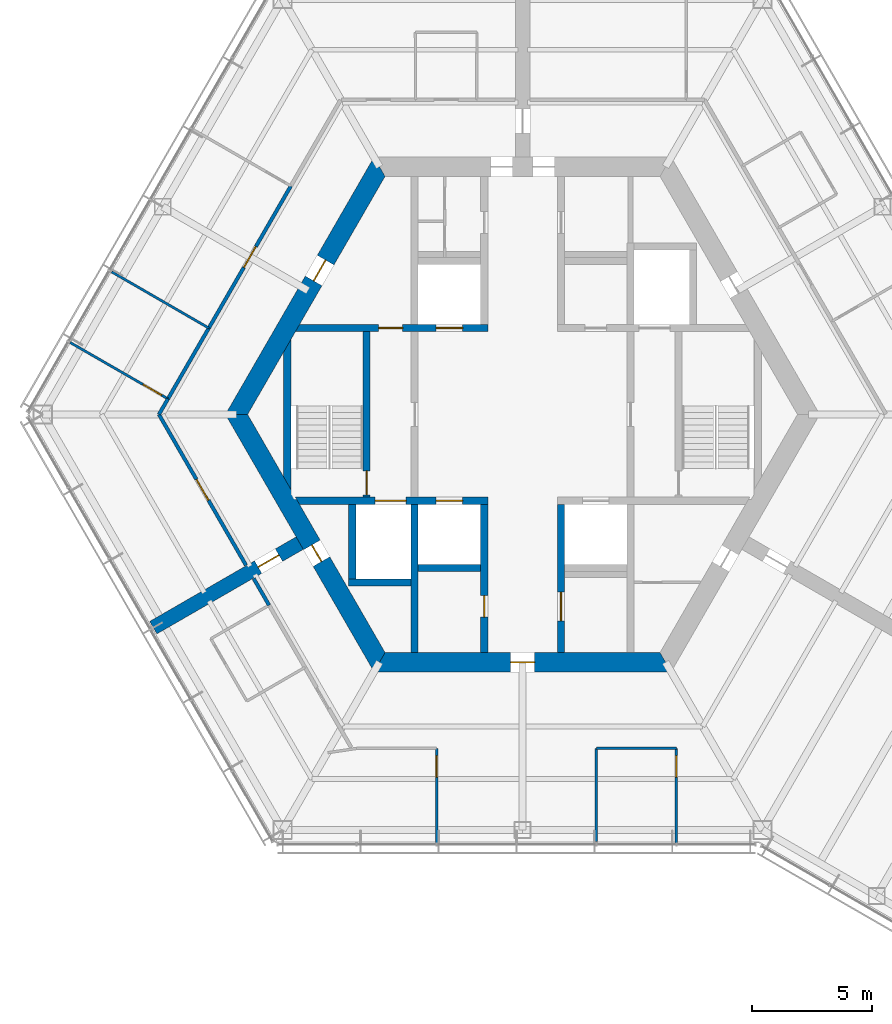
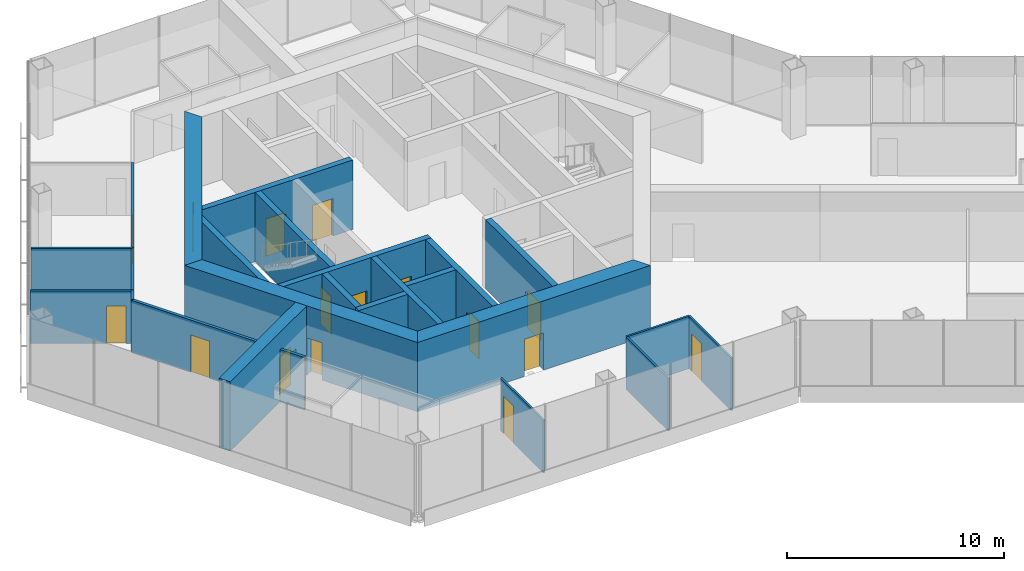
# One storey, part 10 of 16: 25 walls, 16 doors, 16 openings.
"""IFC4 building model written with IfcOpenShell, lengths in metres."""

from ifc_helpers import new_model, si_unit, direction, frame, frame_2d, origin, place, context, subcontext, project, spatial, polyline, rectangle, outline, extrude, material, layer, layer_set, type_object, element, fill, save


model = new_model("IFC4")

# Units and contexts
model_context = context("Model", 3, precision=1e-05, world=origin(), true_north=direction((0.0, 1.0)))
body_context = subcontext(model_context, "Body", "Model", "MODEL_VIEW")
ifc_project = project(units=[si_unit("LENGTHUNIT", "METRE"), si_unit("AREAUNIT", "SQUARE_METRE"), si_unit("VOLUMEUNIT", "CUBIC_METRE"), si_unit("PLANEANGLEUNIT", "RADIAN"), si_unit("MASSUNIT", "GRAM", prefix="KILO")], contexts=[model_context])

# Site, building, storey
site_placement = place(None, origin())
site = spatial("IfcSite", under=ifc_project, at=site_placement, CompositionType="ELEMENT")
building_placement = place(site_placement, origin())
building = spatial("IfcBuilding", under=site, at=building_placement, Name="Kasaneha Research Tower", CompositionType="ELEMENT")
storey_placement = place(building_placement, frame((0.0, 0.0, 263.5)))
storey = spatial("IfcBuildingStorey", under=building, at=storey_placement, Name="L66", CompositionType="ELEMENT", Elevation=263.5)

# Wall, openings, doors
ifc_material_1 = material(Name="Concrete Fc60", Category="concrete")
ifc_layer_1 = layer(ifc_material_1, 0.300048828125)
ifc_layer_set_1 = layer_set([ifc_layer_1], Name="Core internal wall 300 Fc60")
wall_type_1 = type_object("IfcWallType", Name="Core internal wall 300 Fc60", PredefinedType="SHEAR", material=ifc_layer_set_1)
wall_1_placement = place(storey_placement, frame((-9.3818359375, 3.60009765625, 0.0), z_axis=(0.0, 0.0, 1.0), x_axis=(1.0, 0.0, 0.0)))
wall_1 = element("IfcWall", 1, at=wall_1_placement, inside=storey, type_object=wall_type_1, Name="Core wall W1W L66", PredefinedType="SHEAR", context=body_context, shape_type="SweptSolid", body=[
    extrude(outline(polyline([(-0.086669921875, -0.14990234375), (3.3818359375, -0.14990234375), (4.3818359375, -0.14990234375), (5.781982421875, -0.14990234375), (6.882080078125, -0.14990234375), (7.931884765625, -0.14990234375), (7.931884765625, 0.14990234375), (6.882080078125, 0.14990234375), (5.781982421875, 0.14990234375), (4.3818359375, 0.14990234375), (3.3818359375, 0.14990234375), (0.086669921875, 0.14990234375), (-0.086669921875, -0.14990234375)])), origin(), (0.0, 0.0, 1.0), 3.89990234375),
])
opening_1_placement = place(wall_1_placement, frame((3.3818359375, 0.0, 0.0)))
opening_1 = element("IfcOpeningElement", 2, at=opening_1_placement, cuts=wall_1, Name="Opening L66-D12", PredefinedType="OPENING", context=body_context, shape_type="SweptSolid", body=[
    extrude(rectangle(XDim=1.0, YDim=2.10009765625, at=frame_2d((0.5, 1.050048828125))), frame((0.0, 0.16015625, 0.0), z_axis=(0.0, -1.0, 0.0), x_axis=(1.0, 0.0, 0.0)), (0.0, 0.0, 1.0), 0.320068359375),
])
opening_2_placement = place(wall_1_placement, frame((5.781982421875, 0.0, 0.0)))
opening_2 = element("IfcOpeningElement", 3, at=opening_2_placement, cuts=wall_1, Name="Opening LD-LH2-L66", PredefinedType="OPENING", context=body_context, shape_type="SweptSolid", body=[
    extrude(rectangle(XDim=1.10009765625, YDim=2.10009765625, at=frame_2d((0.550048828125, 1.050048828125))), frame((0.0, 0.16015625, 0.0), z_axis=(0.0, -1.0, 0.0), x_axis=(1.0, 0.0, 0.0)), (0.0, 0.0, 1.0), 0.320068359375),
])
ifc_material_2 = material(Name="Steel", Category="steel")
door_type_1 = type_object("IfcDoorType", Name="Lift landing door 1100x2100", OperationType="DOUBLE_DOOR_SLIDING", PredefinedType="DOOR", material=ifc_material_2)
door_1_placement = place(opening_2_placement, origin())
door_1 = element("IfcDoor", 4, at=door_1_placement, inside=storey, type_object=door_type_1, Name="Landing door LH2 LD-LH2-L66", OperationType="DOUBLE_DOOR_SLIDING", OverallHeight=2.10009765625, OverallWidth=1.10009765625, PredefinedType="DOOR", context=body_context, shape_type="SweptSolid", body=[
    extrude(rectangle(XDim=1.10009765625, YDim=2.10009765625, at=frame_2d((0.550048828125, 1.050048828125))), frame((0.0, 0.02490234375, 0.0), z_axis=(0.0, -1.0, 0.0), x_axis=(1.0, 0.0, 0.0)), (0.0, 0.0, 1.0), 0.050048828125),
])
fill(opening_2, door_1)
ifc_material_3 = material(Name="Steel", Category="steel")
door_type_2 = type_object("IfcDoorType", Name="Specified fire door FD60 1000x2100", OperationType="NOTDEFINED", PredefinedType="DOOR", material=ifc_material_3)
door_2_placement = place(opening_1_placement, origin())
door_2 = element("IfcDoor", 5, at=door_2_placement, inside=storey, type_object=door_type_2, Name="Vestibule to lobby door L66-D12", OperationType="SINGLE_SWING_LEFT", OverallHeight=2.10009765625, OverallWidth=1.0, PredefinedType="DOOR", context=body_context, shape_type="SweptSolid", body=[
    extrude(rectangle(XDim=1.0, YDim=2.10009765625, at=frame_2d((0.5, 1.050048828125))), frame((0.0, 0.02490234375, 0.0), z_axis=(0.0, -1.0, 0.0), x_axis=(1.0, 0.0, 0.0)), (0.0, 0.0, 1.0), 0.050048828125),
])
fill(opening_1, door_2)

wall_2_placement = place(storey_placement, frame((-9.3818359375, -3.60009765625, 0.0), z_axis=(0.0, 0.0, 1.0), x_axis=(1.0, 0.0, 0.0)))
wall_2 = element("IfcWall", 6, at=wall_2_placement, inside=storey, type_object=wall_type_1, Name="Core wall W2W L66", PredefinedType="SHEAR", context=body_context, shape_type="SweptSolid", body=[
    extrude(outline(polyline([(0.086669921875, -0.14990234375), (3.23193359375, -0.14990234375), (4.531982421875, -0.14990234375), (5.781982421875, -0.14990234375), (6.882080078125, -0.14990234375), (7.931884765625, -0.14990234375), (7.931884765625, 0.14990234375), (6.882080078125, 0.14990234375), (5.781982421875, 0.14990234375), (4.531982421875, 0.14990234375), (3.23193359375, 0.14990234375), (-0.086669921875, 0.14990234375), (0.086669921875, -0.14990234375)])), origin(), (0.0, 0.0, 1.0), 3.89990234375),
])
opening_3_placement = place(wall_2_placement, frame((5.781982421875, 0.0, 0.0)))
opening_3 = element("IfcOpeningElement", 7, at=opening_3_placement, cuts=wall_2, Name="Opening LD-LH1-L66", PredefinedType="OPENING", context=body_context, shape_type="SweptSolid", body=[
    extrude(rectangle(XDim=1.10009765625, YDim=2.10009765625, at=frame_2d((0.550048828125, 1.050048828125))), frame((0.0, 0.16015625, 0.0), z_axis=(0.0, -1.0, 0.0), x_axis=(1.0, 0.0, 0.0)), (0.0, 0.0, 1.0), 0.320068359375),
])
opening_4_placement = place(wall_2_placement, frame((3.23193359375, 0.0, 0.0)))
opening_4 = element("IfcOpeningElement", 8, at=opening_4_placement, cuts=wall_2, Name="Opening LD-FL2-L66", PredefinedType="OPENING", context=body_context, shape_type="SweptSolid", body=[
    extrude(rectangle(XDim=1.300048828125, YDim=2.10009765625, at=frame_2d((0.64990234375, 1.050048828125))), frame((0.0, 0.16015625, 0.0), z_axis=(0.0, -1.0, 0.0), x_axis=(1.0, 0.0, 0.0)), (0.0, 0.0, 1.0), 0.320068359375),
])
door_3_placement = place(opening_3_placement, origin())
door_3 = element("IfcDoor", 9, at=door_3_placement, inside=storey, type_object=door_type_1, Name="Landing door LH1 LD-LH1-L66", OperationType="DOUBLE_DOOR_SLIDING", OverallHeight=2.10009765625, OverallWidth=1.10009765625, PredefinedType="DOOR", context=body_context, shape_type="SweptSolid", body=[
    extrude(rectangle(XDim=1.10009765625, YDim=2.10009765625, at=frame_2d((0.550048828125, 1.050048828125))), frame((0.0, 0.02490234375, 0.0), z_axis=(0.0, -1.0, 0.0), x_axis=(1.0, 0.0, 0.0)), (0.0, 0.0, 1.0), 0.050048828125),
])
fill(opening_3, door_3)
ifc_material_4 = material(Name="Steel", Category="steel")
door_type_3 = type_object("IfcDoorType", Name="Lift landing door 1300x2100", OperationType="DOUBLE_DOOR_SLIDING", PredefinedType="DOOR", material=ifc_material_4)
door_4_placement = place(opening_4_placement, origin())
door_4 = element("IfcDoor", 10, at=door_4_placement, inside=storey, type_object=door_type_3, Name="Landing door FL2 LD-FL2-L66", OperationType="DOUBLE_DOOR_SLIDING", OverallHeight=2.10009765625, OverallWidth=1.300048828125, PredefinedType="DOOR", context=body_context, shape_type="SweptSolid", body=[
    extrude(rectangle(XDim=1.300048828125, YDim=2.10009765625, at=frame_2d((0.64990234375, 1.050048828125))), frame((0.0, 0.02490234375, 0.0), z_axis=(0.0, -1.0, 0.0), x_axis=(1.0, 0.0, 0.0)), (0.0, 0.0, 1.0), 0.050048828125),
])
fill(opening_4, door_4)

# Wall, opening, door
wall_3_placement = place(storey_placement, frame((-1.60009765625, -3.75, 0.0), z_axis=(0.0, 0.0, 1.0), x_axis=(0.0, -1.0, 0.0)))
wall_3 = element("IfcWall", 11, at=wall_3_placement, inside=storey, type_object=wall_type_1, Name="Core wall CSW L66", PredefinedType="SHEAR", context=body_context, shape_type="SweptSolid", body=[
    extrude(rectangle(XDim=6.175048828125, YDim=0.300048828125, at=frame_2d((3.08740234375, 0.0))), origin(), (0.0, 0.0, 1.0), 3.89990234375),
])
opening_5_placement = place(wall_3_placement, frame((3.800048828125, 0.0, 0.0)))
opening_5 = element("IfcOpeningElement", 12, at=opening_5_placement, cuts=wall_3, Name="Opening L66-D16", PredefinedType="OPENING", context=body_context, shape_type="SweptSolid", body=[
    extrude(rectangle(XDim=0.89990234375, YDim=2.10009765625, at=frame_2d((0.449951171875, 1.050048828125))), frame((0.0, 0.16015625, 0.0), z_axis=(0.0, -1.0, 0.0), x_axis=(1.0, 0.0, 0.0)), (0.0, 0.0, 1.0), 0.320068359375),
])
ifc_material_5 = material(Name="Steel", Category="steel")
door_type_4 = type_object("IfcDoorType", Name="Riser access door FD60 900x2100", OperationType="NOTDEFINED", PredefinedType="DOOR", material=ifc_material_5)
door_5_placement = place(opening_5_placement, origin())
door_5 = element("IfcDoor", 13, at=door_5_placement, inside=storey, type_object=door_type_4, Name="Electrical riser door L66-D16", OperationType="SINGLE_SWING_LEFT", OverallHeight=2.10009765625, OverallWidth=0.89990234375, PredefinedType="DOOR", context=body_context, shape_type="SweptSolid", body=[
    extrude(rectangle(XDim=0.89990234375, YDim=2.10009765625, at=frame_2d((0.449951171875, 1.050048828125))), frame((0.0, 0.02490234375, 0.0), z_axis=(0.0, -1.0, 0.0), x_axis=(1.0, 0.0, 0.0)), (0.0, 0.0, 1.0), 0.050048828125),
])
fill(opening_5, door_5)

wall_4_placement = place(storey_placement, frame((1.60009765625, -3.75, 0.0), z_axis=(0.0, 0.0, 1.0), x_axis=(0.0, -1.0, 0.0)))
wall_4 = element("IfcWall", 14, at=wall_4_placement, inside=storey, type_object=wall_type_1, Name="Core wall CSE L66", PredefinedType="SHEAR", context=body_context, shape_type="SweptSolid", body=[
    extrude(rectangle(XDim=6.175048828125, YDim=0.300048828125, at=frame_2d((3.08740234375, 0.0))), origin(), (0.0, 0.0, 1.0), 3.89990234375),
])
opening_6_placement = place(wall_4_placement, frame((3.64990234375, 0.0, 0.0)))
opening_6 = element("IfcOpeningElement", 15, at=opening_6_placement, cuts=wall_4, Name="Opening L66-D15", PredefinedType="OPENING", context=body_context, shape_type="SweptSolid", body=[
    extrude(rectangle(XDim=1.199951171875, YDim=2.10009765625, at=frame_2d((0.60009765625, 1.050048828125))), frame((0.0, 0.16015625, 0.0), z_axis=(0.0, -1.0, 0.0), x_axis=(1.0, 0.0, 0.0)), (0.0, 0.0, 1.0), 0.320068359375),
])
ifc_material_6 = material(Name="Steel", Category="steel")
door_type_5 = type_object("IfcDoorType", Name="Accessible toilet sliding door FD20 1200x2100", OperationType="SLIDING_TO_LEFT", PredefinedType="DOOR", material=ifc_material_6)
door_6_placement = place(opening_6_placement, origin())
door_6 = element("IfcDoor", 16, at=door_6_placement, inside=storey, type_object=door_type_5, Name="Accessible WC door L66-D15", OperationType="SLIDING_TO_LEFT", OverallHeight=2.10009765625, OverallWidth=1.199951171875, PredefinedType="DOOR", context=body_context, shape_type="SweptSolid", body=[
    extrude(rectangle(XDim=1.199951171875, YDim=2.10009765625, at=frame_2d((0.60009765625, 1.050048828125))), frame((0.0, 0.02490234375, 0.0), z_axis=(0.0, -1.0, 0.0), x_axis=(1.0, 0.0, 0.0)), (0.0, 0.0, 1.0), 0.050048828125),
])
fill(opening_6, door_6)

wall_5_placement = place(storey_placement, frame((-6.5, -3.449951171875, 0.0), z_axis=(0.0, 0.0, 1.0), x_axis=(0.0, 1.0, 0.0)))
wall_5 = element("IfcWall", 17, at=wall_5_placement, inside=storey, type_object=wall_type_1, Name="Core wall ANW L66", PredefinedType="SHEAR", context=body_context, shape_type="SweptSolid", body=[
    extrude(rectangle(XDim=6.89990234375, YDim=0.300048828125, at=frame_2d((3.449951171875, 0.0))), origin(), (0.0, 0.0, 1.0), 3.89990234375),
])
opening_7_placement = place(wall_5_placement, frame((0.10009765625, 0.0, 0.0)))
opening_7 = element("IfcOpeningElement", 18, at=opening_7_placement, cuts=wall_5, Name="Opening L66-D11", PredefinedType="OPENING", context=body_context, shape_type="SweptSolid", body=[
    extrude(rectangle(XDim=1.0, YDim=2.10009765625, at=frame_2d((0.5, 1.050048828125))), frame((0.0, 0.16015625, 0.0), z_axis=(0.0, -1.0, 0.0), x_axis=(1.0, 0.0, 0.0)), (0.0, 0.0, 1.0), 0.320068359375),
])
door_7_placement = place(opening_7_placement, origin())
door_7 = element("IfcDoor", 19, at=door_7_placement, inside=storey, type_object=door_type_2, Name="Stair 2 door L66-D11", OperationType="SINGLE_SWING_LEFT", OverallHeight=2.10009765625, OverallWidth=1.0, PredefinedType="DOOR", context=body_context, shape_type="SweptSolid", body=[
    extrude(rectangle(XDim=1.0, YDim=2.10009765625, at=frame_2d((0.5, 1.050048828125))), frame((0.0, 0.02490234375, 0.0), z_axis=(0.0, -1.0, 0.0), x_axis=(1.0, 0.0, 0.0)), (0.0, 0.0, 1.0), 0.050048828125),
])
fill(opening_7, door_7)

# Walls
wall_6_placement = place(storey_placement, frame((-4.5, -3.75, 0.0), z_axis=(0.0, 0.0, 1.0), x_axis=(0.0, -1.0, 0.0)))
element("IfcWall", 20, at=wall_6_placement, inside=storey, type_object=wall_type_1, Name="Core wall SSW L66", PredefinedType="SHEAR", context=body_context, shape_type="SweptSolid", body=[
    extrude(rectangle(XDim=6.175048828125, YDim=0.300048828125, at=frame_2d((3.08740234375, 0.0))), origin(), (0.0, 0.0, 1.0), 3.89990234375),
])
for number, where, z_axis, x_axis, name in (
    (21, (-4.35009765625, -6.39990234375, 0.0), (0.0, 0.0, 1.0), (1.0, 0.0, 0.0), "Core wall S1S L66"),
    (22, (-7.25, -7.0, 0.0), (0.0, 0.0, 1.0), (1.0, 0.0, 0.0), "Core wall F2S L66"),
):
    element("IfcWall", number, at=place(storey_placement, frame(where, z_axis=z_axis, x_axis=x_axis)), inside=storey, type_object=wall_type_1, Name=name, PredefinedType="SHEAR", context=body_context, shape_type="SweptSolid", body=[
        extrude(rectangle(XDim=2.60009765625, YDim=0.300048828125, at=frame_2d((1.300048828125, 0.0))), origin(), (0.0, 0.0, 1.0), 3.89990234375),
    ])
wall_7_placement = place(storey_placement, frame((-7.10009765625, -3.75, 0.0), z_axis=(0.0, 0.0, 1.0), x_axis=(0.0, -1.0, 0.0)))
element("IfcWall", 23, at=wall_7_placement, inside=storey, type_object=wall_type_1, Name="Core wall F2W L66", PredefinedType="SHEAR", context=body_context, shape_type="SweptSolid", body=[
    extrude(rectangle(XDim=3.10009765625, YDim=0.300048828125, at=frame_2d((1.550048828125, 0.0))), origin(), (0.0, 0.0, 1.0), 3.89990234375),
])
wall_8_placement = place(storey_placement, frame((-9.807861328125, -2.8623046875, 0.0), z_axis=(0.0, 0.0, 1.0), x_axis=(0.0, 1.0, 0.0)))
element("IfcWall", 24, at=wall_8_placement, inside=storey, type_object=wall_type_1, Name="Core wall STW L66", PredefinedType="SHEAR", context=body_context, shape_type="SweptSolid", body=[
    extrude(outline(polyline([(-0.259765625, -0.14990234375), (5.984375, -0.14990234375), (5.46484375, 0.14990234375), (0.259765625, 0.14990234375), (-0.259765625, -0.14990234375)])), origin(), (0.0, 0.0, 1.0), 3.89990234375),
])

# Wall, opening, door
ifc_material_7 = material(Name="Concrete Fc60", Category="concrete")
ifc_layer_2 = layer(ifc_material_7, 0.800048828125)
ifc_layer_set_2 = layer_set([ifc_layer_2], Name="Core wall 800 Fc60")
wall_type_2 = type_object("IfcWallType", Name="Core wall 800 Fc60", PredefinedType="SHEAR", material=ifc_layer_set_2)
wall_9_placement = place(storey_placement, frame((-5.961181640625, 10.324951171875, 0.0), z_axis=(0.0, 0.0, 1.0), x_axis=(-0.500004296715, -0.866022923061, 0.0)))
wall_9 = element("IfcWall", 25, at=wall_9_placement, inside=storey, type_object=wall_type_2, Name="Core wall 150 L66", PredefinedType="SHEAR", context=body_context, shape_type="SweptSolid", body=[
    extrude(outline(polyline([(-0.23095703125, -0.39990234375), (4.494140625, -0.39990234375), (5.494140625, -0.39990234375), (12.1533203125, -0.39990234375), (11.69140625, 0.39990234375), (5.494140625, 0.39990234375), (4.494140625, 0.39990234375), (0.23095703125, 0.39990234375), (-0.23095703125, -0.39990234375)])), origin(), (0.0, 0.0, 1.0), 3.89990234375),
])
opening_8_placement = place(wall_9_placement, frame((4.494140625, 0.0, 0.0)))
opening_8 = element("IfcOpeningElement", 26, at=opening_8_placement, cuts=wall_9, Name="Opening L66-D07", PredefinedType="OPENING", context=body_context, shape_type="SweptSolid", body=[
    extrude(rectangle(XDim=1.0, YDim=2.10009765625, at=frame_2d((0.5, 1.050048828125))), frame((0.0, 0.41015625, 0.0), z_axis=(0.0, -1.0, 0.0), x_axis=(1.0, 0.0, 0.0)), (0.0, 0.0, 1.0), 0.820068359375),
])
ifc_material_8 = material(Name="Steel", Category="steel")
door_type_6 = type_object("IfcDoorType", Name="Fire door FD20 1000x2100", OperationType="NOTDEFINED", PredefinedType="DOOR", material=ifc_material_8)
door_8_placement = place(opening_8_placement, origin())
door_8 = element("IfcDoor", 27, at=door_8_placement, inside=storey, type_object=door_type_6, Name="Vestibule door L66-D07", OperationType="SINGLE_SWING_LEFT", OverallHeight=2.10009765625, OverallWidth=1.0, PredefinedType="DOOR", context=body_context, shape_type="SweptSolid", body=[
    extrude(rectangle(XDim=1.0, YDim=2.10009765625, at=frame_2d((0.5, 1.050048828125))), frame((0.0, 0.02490234375, 0.0), z_axis=(0.0, -1.0, 0.0), x_axis=(1.0, 0.0, 0.0)), (0.0, 0.0, 1.0), 0.050048828125),
])
fill(opening_8, door_8)

wall_10_placement = place(storey_placement, frame((-11.92236328125, 0.0, 0.0), z_axis=(0.0, 0.0, 1.0), x_axis=(0.500004296715, -0.866022923061, 0.0)))
wall_10 = element("IfcWall", 28, at=wall_10_placement, inside=storey, type_object=wall_type_2, Name="Core wall 210 L66", PredefinedType="SHEAR", context=body_context, shape_type="SweptSolid", body=[
    extrude(outline(polyline([(-0.23095703125, -0.39990234375), (6.28125, -0.39990234375), (7.081298828125, -0.39990234375), (12.1533203125, -0.39990234375), (11.69140625, 0.39990234375), (7.081298828125, 0.39990234375), (6.28125, 0.39990234375), (0.23095703125, 0.39990234375), (-0.23095703125, -0.39990234375)])), origin(), (0.0, 0.0, 1.0), 3.89990234375),
])
opening_9_placement = place(wall_10_placement, frame((6.28125, 0.0, 0.0)))
opening_9 = element("IfcOpeningElement", 29, at=opening_9_placement, cuts=wall_10, Name="Opening L66-D06", PredefinedType="OPENING", context=body_context, shape_type="SweptSolid", body=[
    extrude(rectangle(XDim=0.800048828125, YDim=2.10009765625, at=frame_2d((0.39990234375, 1.050048828125))), frame((0.0, 0.41015625, 0.0), z_axis=(0.0, -1.0, 0.0), x_axis=(1.0, 0.0, 0.0)), (0.0, 0.0, 1.0), 0.820068359375),
])
ifc_material_9 = material(Name="Steel", Category="steel")
door_type_7 = type_object("IfcDoorType", Name="Riser access door FD60 800x2100", OperationType="NOTDEFINED", PredefinedType="DOOR", material=ifc_material_9)
door_9_placement = place(opening_9_placement, origin())
door_9 = element("IfcDoor", 30, at=door_9_placement, inside=storey, type_object=door_type_7, Name="Duct riser door L66-D06", OperationType="SINGLE_SWING_RIGHT", OverallHeight=2.10009765625, OverallWidth=0.800048828125, PredefinedType="DOOR", context=body_context, shape_type="SweptSolid", body=[
    extrude(rectangle(XDim=0.800048828125, YDim=2.10009765625, at=frame_2d((0.39990234375, 1.050048828125))), frame((0.0, 0.02490234375, 0.0), z_axis=(0.0, -1.0, 0.0), x_axis=(1.0, 0.0, 0.0)), (0.0, 0.0, 1.0), 0.050048828125),
])
fill(opening_9, door_9)

wall_11_placement = place(storey_placement, frame((-5.961181640625, -10.324951171875, 0.0), z_axis=(0.0, 0.0, 1.0), x_axis=(1.0, 0.0, 0.0)))
wall_11 = element("IfcWall", 31, at=wall_11_placement, inside=storey, type_object=wall_type_2, Name="Core wall 270 L66", PredefinedType="SHEAR", context=body_context, shape_type="SweptSolid", body=[
    extrude(outline(polyline([(-0.23095703125, -0.39990234375), (5.461181640625, -0.39990234375), (6.461181640625, -0.39990234375), (12.1533203125, -0.39990234375), (11.69140625, 0.39990234375), (6.461181640625, 0.39990234375), (5.461181640625, 0.39990234375), (0.23095703125, 0.39990234375), (-0.23095703125, -0.39990234375)])), origin(), (0.0, 0.0, 1.0), 3.89990234375),
])
opening_10_placement = place(wall_11_placement, frame((5.461181640625, 0.0, 0.0)))
opening_10 = element("IfcOpeningElement", 32, at=opening_10_placement, cuts=wall_11, Name="Opening L66-D03", PredefinedType="OPENING", context=body_context, shape_type="SweptSolid", body=[
    extrude(rectangle(XDim=1.0, YDim=2.10009765625, at=frame_2d((0.5, 1.050048828125))), frame((0.0, 0.41015625, 0.0), z_axis=(0.0, -1.0, 0.0), x_axis=(1.0, 0.0, 0.0)), (0.0, 0.0, 1.0), 0.820068359375),
])
door_10_placement = place(opening_10_placement, origin())
door_10 = element("IfcDoor", 33, at=door_10_placement, inside=storey, type_object=door_type_6, Name="Core door south L66-D03", OperationType="SINGLE_SWING_LEFT", OverallHeight=2.10009765625, OverallWidth=1.0, PredefinedType="DOOR", context=body_context, shape_type="SweptSolid", body=[
    extrude(rectangle(XDim=1.0, YDim=2.10009765625, at=frame_2d((0.5, 1.050048828125))), frame((0.0, 0.02490234375, 0.0), z_axis=(0.0, -1.0, 0.0), x_axis=(1.0, 0.0, 0.0)), (0.0, 0.0, 1.0), 0.050048828125),
])
fill(opening_10, door_10)

ifc_material_10 = material(Name="Gypsum board on steel studs, one layer each side", Category="steel")
ifc_layer_3 = layer(ifc_material_10, 0.10009765625)
ifc_layer_set_3 = layer_set([ifc_layer_3], Name="Office partition 100")
wall_type_3 = type_object("IfcWallType", Name="Office partition 100", PredefinedType="PARTITIONING", material=ifc_layer_set_3)
wall_12_placement = place(storey_placement, frame((-14.77978515625, 0.650634765625, 0.0), z_axis=(0.0, 0.0, 1.0), x_axis=(-0.866504138439, 0.499169888984, 0.0)))
wall_12 = element("IfcWall", 34, at=wall_12_placement, inside=storey, type_object=wall_type_3, Name="Office partition FBN07 L66", PredefinedType="PARTITIONING", context=body_context, shape_type="SweptSolid", body=[
    extrude(rectangle(XDim=4.70556640625, YDim=0.10009765625, at=frame_2d((2.352783203125, 0.0))), origin(), (0.0, 0.0, 1.0), 2.949951171875),
])
opening_11_placement = place(wall_12_placement, frame((0.300048828125, 0.0, 0.0)))
opening_11 = element("IfcOpeningElement", 35, at=opening_11_placement, cuts=wall_12, Name="Opening L66-D33", PredefinedType="OPENING", context=body_context, shape_type="SweptSolid", body=[
    extrude(rectangle(XDim=0.89990234375, YDim=2.10009765625, at=frame_2d((0.449951171875, 1.050048828125))), frame((0.0, 0.06005859375, 0.0), z_axis=(0.0, -1.0, 0.0), x_axis=(1.0, 0.0, 0.0)), (0.0, 0.0, 1.0), 0.1201171875),
])
ifc_material_11 = material(Name="Timber veneer", Category="wood")
door_type_8 = type_object("IfcDoorType", Name="Office door 900x2100", OperationType="SINGLE_SWING_LEFT", PredefinedType="DOOR", material=ifc_material_11)
door_11_placement = place(opening_11_placement, origin())
door_11 = element("IfcDoor", 36, at=door_11_placement, inside=storey, type_object=door_type_8, Name="Executive office door L66-D33", OperationType="SINGLE_SWING_LEFT", OverallHeight=2.10009765625, OverallWidth=0.89990234375, PredefinedType="DOOR", context=body_context, shape_type="SweptSolid", body=[
    extrude(rectangle(XDim=0.89990234375, YDim=2.10009765625, at=frame_2d((0.449951171875, 1.050048828125))), frame((0.0, 0.02490234375, 0.0), z_axis=(0.0, -1.0, 0.0), x_axis=(1.0, 0.0, 0.0)), (0.0, 0.0, 1.0), 0.050048828125),
])
fill(opening_11, door_11)

# Wall
wall_13_placement = place(storey_placement, frame((-17.123291015625, 5.9423828125, 0.0), z_axis=(0.0, 0.0, 1.0), x_axis=(0.86551803214, -0.500877765568, 0.0)))
element("IfcWall", 37, at=wall_13_placement, inside=storey, type_object=wall_type_3, Name="Office partition FBN08 L66", PredefinedType="PARTITIONING", context=body_context, shape_type="SweptSolid", body=[
    extrude(rectangle(XDim=4.67529296875, YDim=0.10009765625, at=frame_2d((2.337646484375, 0.0))), origin(), (0.0, 0.0, 1.0), 2.949951171875),
])

# Wall, opening, door
wall_14_placement = place(storey_placement, frame((-3.58447265625, -13.92041015625, 0.0), z_axis=(0.0, 0.0, 1.0), x_axis=(0.0, -1.0, 0.0)))
wall_14 = element("IfcWall", 38, at=wall_14_placement, inside=storey, type_object=wall_type_3, Name="Office partition FCS05 L66", PredefinedType="PARTITIONING", context=body_context, shape_type="SweptSolid", body=[
    extrude(rectangle(XDim=3.93505859375, YDim=0.10009765625, at=frame_2d((1.967529296875, 0.0))), origin(), (0.0, 0.0, 1.0), 2.949951171875),
])
opening_12_placement = place(wall_14_placement, frame((0.300048828125, 0.0, 0.0)))
opening_12 = element("IfcOpeningElement", 39, at=opening_12_placement, cuts=wall_14, Name="Opening L66-D39", PredefinedType="OPENING", context=body_context, shape_type="SweptSolid", body=[
    extrude(rectangle(XDim=0.89990234375, YDim=2.10009765625, at=frame_2d((0.449951171875, 1.050048828125))), frame((0.0, 0.06005859375, 0.0), z_axis=(0.0, -1.0, 0.0), x_axis=(1.0, 0.0, 0.0)), (0.0, 0.0, 1.0), 0.1201171875),
])
door_12_placement = place(opening_12_placement, origin())
door_12 = element("IfcDoor", 40, at=door_12_placement, inside=storey, type_object=door_type_8, Name="Executive office door L66-D39", OperationType="SINGLE_SWING_LEFT", OverallHeight=2.10009765625, OverallWidth=0.89990234375, PredefinedType="DOOR", context=body_context, shape_type="SweptSolid", body=[
    extrude(rectangle(XDim=0.89990234375, YDim=2.10009765625, at=frame_2d((0.449951171875, 1.050048828125))), frame((0.0, 0.02490234375, 0.0), z_axis=(0.0, -1.0, 0.0), x_axis=(1.0, 0.0, 0.0)), (0.0, 0.0, 1.0), 0.050048828125),
])
fill(opening_12, door_12)

# Walls
wall_15_placement = place(storey_placement, frame((3.077392578125, -17.800537109375, 0.0), z_axis=(0.0, 0.0, 1.0), x_axis=(0.0, 1.0, 0.0)))
element("IfcWall", 41, at=wall_15_placement, inside=storey, type_object=wall_type_3, Name="Office partition FCS06 L66", PredefinedType="PARTITIONING", context=body_context, shape_type="SweptSolid", body=[
    extrude(rectangle(XDim=3.880126953125, YDim=0.10009765625, at=frame_2d((1.93994140625, 0.0))), origin(), (0.0, 0.0, 1.0), 2.949951171875),
])
wall_16_placement = place(storey_placement, frame((3.077392578125, -13.92041015625, 0.0), z_axis=(0.0, 0.0, 1.0), x_axis=(1.0, 0.0, 0.0)))
element("IfcWall", 42, at=wall_16_placement, inside=storey, type_object=wall_type_3, Name="Office partition FCS07 L66", PredefinedType="PARTITIONING", context=body_context, shape_type="SweptSolid", body=[
    extrude(rectangle(XDim=3.330810546875, YDim=0.10009765625, at=frame_2d((1.66552734375, 0.0))), origin(), (0.0, 0.0, 1.0), 2.949951171875),
])

# Wall, opening, door
wall_17_placement = place(storey_placement, frame((6.408203125, -13.92041015625, 0.0), z_axis=(0.0, 0.0, 1.0), x_axis=(0.0, -1.0, 0.0)))
wall_17 = element("IfcWall", 43, at=wall_17_placement, inside=storey, type_object=wall_type_3, Name="Office partition FCS08 L66", PredefinedType="PARTITIONING", context=body_context, shape_type="SweptSolid", body=[
    extrude(rectangle(XDim=3.93505859375, YDim=0.10009765625, at=frame_2d((1.967529296875, 0.0))), origin(), (0.0, 0.0, 1.0), 2.949951171875),
])
opening_13_placement = place(wall_17_placement, frame((0.300048828125, 0.0, 0.0)))
opening_13 = element("IfcOpeningElement", 44, at=opening_13_placement, cuts=wall_17, Name="Opening L66-D40", PredefinedType="OPENING", context=body_context, shape_type="SweptSolid", body=[
    extrude(rectangle(XDim=0.89990234375, YDim=2.10009765625, at=frame_2d((0.449951171875, 1.050048828125))), frame((0.0, 0.06005859375, 0.0), z_axis=(0.0, -1.0, 0.0), x_axis=(1.0, 0.0, 0.0)), (0.0, 0.0, 1.0), 0.1201171875),
])
door_13_placement = place(opening_13_placement, origin())
door_13 = element("IfcDoor", 45, at=door_13_placement, inside=storey, type_object=door_type_8, Name="Executive office door L66-D40", OperationType="SINGLE_SWING_LEFT", OverallHeight=2.10009765625, OverallWidth=0.89990234375, PredefinedType="DOOR", context=body_context, shape_type="SweptSolid", body=[
    extrude(rectangle(XDim=0.89990234375, YDim=2.10009765625, at=frame_2d((0.449951171875, 1.050048828125))), frame((0.0, 0.02490234375, 0.0), z_axis=(0.0, -1.0, 0.0), x_axis=(1.0, 0.0, 0.0)), (0.0, 0.0, 1.0), 0.050048828125),
])
fill(opening_13, door_13)

ifc_material_12 = material(Name="Concrete Fc60", Category="concrete")
ifc_layer_4 = layer(ifc_material_12, 0.60009765625)
ifc_layer_set_4 = layer_set([ifc_layer_4], Name="Spine wall 600 Fc60")
wall_type_4 = type_object("IfcWallType", Name="Spine wall 600 Fc60", PredefinedType="SHEAR", material=ifc_layer_set_4)
wall_18_placement = place(storey_placement, frame((-9.2880859375, -5.362548828125, 0.0), z_axis=(0.0, 0.0, 1.0), x_axis=(-0.866027473358, -0.499996415376, 0.0)))
wall_18 = element("IfcWall", 46, at=wall_18_placement, inside=storey, type_object=wall_type_4, Name="Spine wall B L66", PredefinedType="SHEAR", context=body_context, shape_type="SweptSolid", body=[
    extrude(rectangle(XDim=7.04541015625, YDim=0.60009765625, at=frame_2d((3.522705078125, 0.0))), origin(), (0.0, 0.0, 1.0), 3.89990234375),
])
opening_14_placement = place(wall_18_placement, frame((1.0, 0.0, 0.0)))
opening_14 = element("IfcOpeningElement", 47, at=opening_14_placement, cuts=wall_18, Name="Opening L66-D19", PredefinedType="OPENING", context=body_context, shape_type="SweptSolid", body=[
    extrude(rectangle(XDim=1.0, YDim=2.10009765625, at=frame_2d((0.5, 1.050048828125))), frame((0.0, 0.31005859375, 0.0), z_axis=(0.0, -1.0, 0.0), x_axis=(1.0, 0.0, 0.0)), (0.0, 0.0, 1.0), 0.6201171875),
])
door_14_placement = place(opening_14_placement, origin())
door_14 = element("IfcDoor", 48, at=door_14_placement, inside=storey, type_object=door_type_2, Name="Spine doorway B L66-D19", OperationType="SINGLE_SWING_LEFT", OverallHeight=2.10009765625, OverallWidth=1.0, PredefinedType="DOOR", context=body_context, shape_type="SweptSolid", body=[
    extrude(rectangle(XDim=1.0, YDim=2.10009765625, at=frame_2d((0.5, 1.050048828125))), frame((0.0, 0.02490234375, 0.0), z_axis=(0.0, -1.0, 0.0), x_axis=(1.0, 0.0, 0.0)), (0.0, 0.0, 1.0), 0.050048828125),
])
fill(opening_14, door_14)

# Walls
ifc_material_13 = material(Name="Gypsum board on steel studs, two layers each side", Category="steel")
ifc_layer_5 = layer(ifc_material_13, 0.14990234375)
ifc_layer_set_5 = layer_set([ifc_layer_5], Name="Suite partition 150")
wall_type_5 = type_object("IfcWallType", Name="Suite partition 150", PredefinedType="PARTITIONING", material=ifc_layer_set_5)
wall_19_placement = place(storey_placement, frame((-14.78466796875, 0.642333984375, 0.0), z_axis=(0.0, 0.0, 1.0), x_axis=(0.500032973541, 0.866006365664, 0.0)))
element("IfcWall", 49, at=wall_19_placement, inside=storey, type_object=wall_type_5, Name="Suite partition FBN02 L66", PredefinedType="PARTITIONING", context=body_context, shape_type="SweptSolid", body=[
    extrude(rectangle(XDim=3.425537109375, YDim=0.14990234375, at=frame_2d((1.712890625, 0.0))), origin(), (0.0, 0.0, 1.0), 2.949951171875),
])
wall_20_placement = place(storey_placement, frame((-15.155517578125, 0.0, 0.0), z_axis=(0.0, 0.0, 1.0), x_axis=(0.500088105676, 0.865974529972, 0.0)))
element("IfcWall", 50, at=wall_20_placement, inside=storey, type_object=wall_type_5, Name="Suite partition FBN03 L66", PredefinedType="PARTITIONING", context=body_context, shape_type="SweptSolid", body=[
    extrude(rectangle(XDim=0.751220703125, YDim=0.14990234375, at=frame_2d((0.37548828125, 0.0))), origin(), (0.0, 0.0, 1.0), 2.949951171875),
])

# Wall, opening, door
wall_21_placement = place(storey_placement, frame((-11.526611328125, -6.285400390625, 0.0), z_axis=(0.0, 0.0, 1.0), x_axis=(-0.500002959843, 0.866023694911, 0.0)))
wall_21 = element("IfcWall", 51, at=wall_21_placement, inside=storey, type_object=wall_type_5, Name="Suite partition FBN04 L66", PredefinedType="PARTITIONING", context=body_context, shape_type="SweptSolid", body=[
    extrude(rectangle(XDim=7.2578125, YDim=0.14990234375, at=frame_2d((3.62890625, 0.0))), origin(), (0.0, 0.0, 1.0), 2.949951171875),
])
opening_15_placement = place(wall_21_placement, frame((3.12890625, 0.0, 0.0)))
opening_15 = element("IfcOpeningElement", 52, at=opening_15_placement, cuts=wall_21, Name="Opening L66-D30", PredefinedType="OPENING", context=body_context, shape_type="SweptSolid", body=[
    extrude(rectangle(XDim=1.0, YDim=2.10009765625, at=frame_2d((0.5, 1.050048828125))), frame((0.0, 0.0849609375, 0.0), z_axis=(0.0, -1.0, 0.0), x_axis=(1.0, 0.0, 0.0)), (0.0, 0.0, 1.0), 0.169921875),
])
ifc_material_14 = material(Name="Steel", Category="steel")
door_type_9 = type_object("IfcDoorType", Name="Suite entrance door FD60 1000x2100", OperationType="NOTDEFINED", PredefinedType="DOOR", material=ifc_material_14)
door_15_placement = place(opening_15_placement, origin())
door_15 = element("IfcDoor", 53, at=door_15_placement, inside=storey, type_object=door_type_9, Name="Suite entrance door L66-D30", OperationType="SINGLE_SWING_RIGHT", OverallHeight=2.10009765625, OverallWidth=1.0, PredefinedType="DOOR", context=body_context, shape_type="SweptSolid", body=[
    extrude(rectangle(XDim=1.0, YDim=2.10009765625, at=frame_2d((0.5, 1.050048828125))), frame((0.0, 0.02490234375, 0.0), z_axis=(0.0, -1.0, 0.0), x_axis=(1.0, 0.0, 0.0)), (0.0, 0.0, 1.0), 0.050048828125),
])
fill(opening_15, door_15)

wall_22_placement = place(storey_placement, frame((-13.07666015625, 3.6005859375, 0.0), z_axis=(0.0, 0.0, 1.0), x_axis=(0.500004632818, 0.866022729009, 0.0)))
wall_22 = element("IfcWall", 54, at=wall_22_placement, inside=storey, type_object=wall_type_5, Name="Suite partition FBN05 L66", PredefinedType="PARTITIONING", context=body_context, shape_type="SweptSolid", body=[
    extrude(rectangle(XDim=6.84033203125, YDim=0.14990234375, at=frame_2d((3.420166015625, 0.0))), origin(), (0.0, 0.0, 1.0), 2.949951171875),
])
opening_16_placement = place(wall_22_placement, frame((2.919921875, 0.0, 0.0)))
opening_16 = element("IfcOpeningElement", 55, at=opening_16_placement, cuts=wall_22, Name="Opening L66-D31", PredefinedType="OPENING", context=body_context, shape_type="SweptSolid", body=[
    extrude(rectangle(XDim=1.0, YDim=2.10009765625, at=frame_2d((0.5, 1.050048828125))), frame((0.0, 0.0849609375, 0.0), z_axis=(0.0, -1.0, 0.0), x_axis=(1.0, 0.0, 0.0)), (0.0, 0.0, 1.0), 0.169921875),
])
door_16_placement = place(opening_16_placement, origin())
door_16 = element("IfcDoor", 56, at=door_16_placement, inside=storey, type_object=door_type_9, Name="Suite entrance door L66-D31", OperationType="SINGLE_SWING_RIGHT", OverallHeight=2.10009765625, OverallWidth=1.0, PredefinedType="DOOR", context=body_context, shape_type="SweptSolid", body=[
    extrude(rectangle(XDim=1.0, YDim=2.10009765625, at=frame_2d((0.5, 1.050048828125))), frame((0.0, 0.02490234375, 0.0), z_axis=(0.0, -1.0, 0.0), x_axis=(1.0, 0.0, 0.0)), (0.0, 0.0, 1.0), 0.050048828125),
])
fill(opening_16, door_16)

# Wall
wall_23_placement = place(storey_placement, frame((-10.564208984375, -7.951904296875, 0.0), z_axis=(0.0, 0.0, 1.0), x_axis=(-0.500084415177, 0.865976661173, 0.0)))
element("IfcWall", 57, at=wall_23_placement, inside=storey, type_object=wall_type_5, Name="Suite partition FBS02 L66", PredefinedType="PARTITIONING", context=body_context, shape_type="SweptSolid", body=[
    extrude(rectangle(XDim=1.284423828125, YDim=0.14990234375, at=frame_2d((0.64208984375, 0.0))), origin(), (0.0, 0.0, 1.0), 2.949951171875),
])

save(model, "model.ifc")
